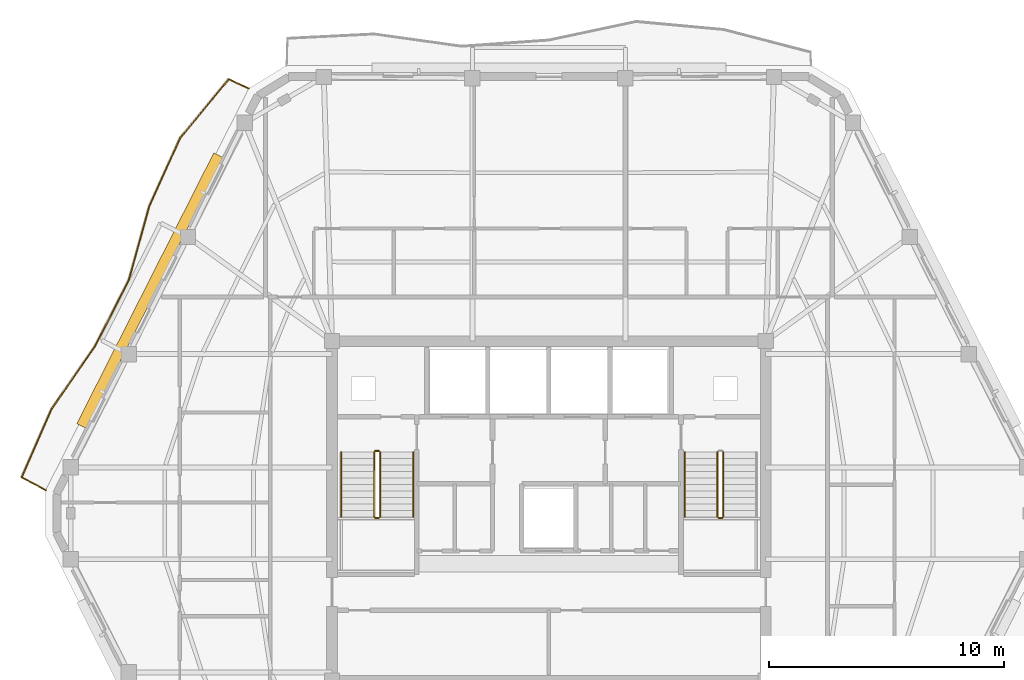
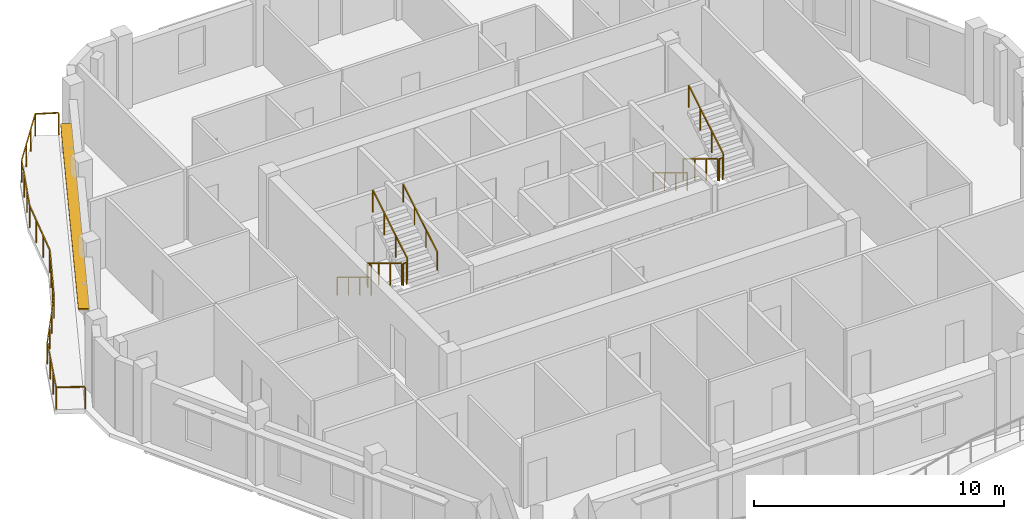
# One storey, part 10 of 12: 11 railings, 1 shading device.
"""IFC4 building model written with IfcOpenShell, lengths in metres."""

from ifc_helpers import new_model, si_unit, direction, frame, origin, origin_2d, place, context, subcontext, project, spatial, rectangle, extrude, material, layer, layer_set, type_object, element, save


model = new_model("IFC4")

# Units and contexts
model_context = context("Model", 3, precision=1e-05, world=origin(), true_north=direction((0.0, 1.0)))
body_context = subcontext(model_context, "Body", "Model", "MODEL_VIEW")
ifc_project = project(units=[si_unit("LENGTHUNIT", "METRE"), si_unit("AREAUNIT", "SQUARE_METRE"), si_unit("VOLUMEUNIT", "CUBIC_METRE"), si_unit("PLANEANGLEUNIT", "RADIAN"), si_unit("MASSUNIT", "GRAM", prefix="KILO")], contexts=[model_context])

# Site, building, storey
site_placement = place(None, origin())
site = spatial("IfcSite", under=ifc_project, at=site_placement, CompositionType="ELEMENT")
building_placement = place(site_placement, origin())
building = spatial("IfcBuilding", under=site, at=building_placement, Name="Cinnabar Lancet Tower", CompositionType="ELEMENT")
storey_placement = place(building_placement, frame((0.0, 0.0, 270.800048828125)))
storey = spatial("IfcBuildingStorey", under=building, at=storey_placement, Name="L72", CompositionType="ELEMENT", Elevation=270.800048828125)

# Railing
ifc_material_1 = material(Name="Laminated safety glass and bronze stainless steel balustrade", Category="steel")
railing_type_1 = type_object("IfcRailingType", Name="ENV-RLG-BAL-1100", PredefinedType="BALUSTRADE", material=ifc_material_1)
railing_1_placement = place(storey_placement, frame((19.638916015625, 43.867919921875, 0.0)))
element("IfcRailing", 1, at=railing_1_placement, inside=storey, type_object=railing_type_1, Name="L72 Face 5 Wave Balcony Balustrade", PredefinedType="BALUSTRADE", context=body_context, shape_type="SweptSolid", body=[
    extrude(rectangle(XDim=0.048095703125, YDim=0.048095703125, at=origin_2d()), frame((0.0, 0.0, 1.076171875), z_axis=(-0.906614664228, 0.421959536694, 0.0), x_axis=(-0.421959536694, -0.906614664228, 0.0)), (0.0, 0.0, 1.0), 0.9384765625),
    extrude(rectangle(XDim=0.048095703125, YDim=0.048095703125, at=origin_2d()), frame((-0.850830078125, 0.39599609375, 1.076171875), z_axis=(-0.636844710147, -0.770992097987, 0.0), x_axis=(0.770992097987, -0.636844710147, 0.0)), (0.0, 0.0, 1.0), 3.26318359375),
    extrude(rectangle(XDim=0.048095703125, YDim=0.048095703125, at=origin_2d()), frame((-2.928955078125, -2.119873046875, 1.076171875), z_axis=(-0.411323816861, -0.911489285556, 0.0), x_axis=(0.911489285556, -0.411323816861, 0.0)), (0.0, 0.0, 1.0), 3.18505859375),
    extrude(rectangle(XDim=0.048095703125, YDim=0.048095703125, at=origin_2d()), frame((-4.239013671875, -5.02294921875, 1.076171875), z_axis=(-0.266611338249, -0.96380412653, 0.0), x_axis=(0.96380412653, -0.266611338249, 0.0)), (0.0, 0.0, 1.0), 3.244384765625),
    extrude(rectangle(XDim=0.048095703125, YDim=0.048095703125, at=origin_2d()), frame((-5.10400390625, -8.14990234375, 1.076171875), z_axis=(-0.454996086327, -0.890493437049, 0.0), x_axis=(0.890493437049, -0.454996086327, 0.0)), (0.0, 0.0, 1.0), 3.18017578125),
    extrude(rectangle(XDim=0.048095703125, YDim=0.048095703125, at=origin_2d()), frame((-6.551025390625, -10.98193359375, 1.076171875), z_axis=(-0.570371590761, -0.82138678371, 0.0), x_axis=(0.82138678371, -0.570371590761, 0.0)), (0.0, 0.0, 1.0), 3.211669921875),
    extrude(rectangle(XDim=0.048095703125, YDim=0.048095703125, at=origin_2d()), frame((-8.3828125, -13.619873046875, 1.076171875), z_axis=(-0.401863199064, -0.915699715648, 0.0), x_axis=(0.915699715648, -0.401863199064, 0.0)), (0.0, 0.0, 1.0), 3.187744140625),
    extrude(rectangle(XDim=0.048095703125, YDim=0.048095703125, at=origin_2d()), frame((-9.663818359375, -16.538818359375, 1.076171875), z_axis=(0.881611436342, -0.471975926623, 0.0), x_axis=(0.471975926623, 0.881611436342, 0.0)), (0.0, 0.0, 1.0), 1.1591796875),
    extrude(rectangle(XDim=0.0419921875, YDim=0.0419921875, at=origin_2d()), origin(), (0.0, 0.0, 1.0), 1.052001953125),
    extrude(rectangle(XDim=0.0419921875, YDim=0.0419921875, at=origin_2d()), frame((-0.850830078125, 0.39599609375, 0.0)), (0.0, 0.0, 1.0), 1.052001953125),
    extrude(rectangle(XDim=0.0419921875, YDim=0.0419921875, at=origin_2d()), frame((-1.54345703125, -0.442626953125, 0.0)), (0.0, 0.0, 1.0), 1.052001953125),
    extrude(rectangle(XDim=0.0419921875, YDim=0.0419921875, at=origin_2d()), frame((-2.236328125, -1.28125, 0.0)), (0.0, 0.0, 1.0), 1.052001953125),
    extrude(rectangle(XDim=0.0419921875, YDim=0.0419921875, at=origin_2d()), frame((-2.928955078125, -2.119873046875, 0.0)), (0.0, 0.0, 1.0), 1.052001953125),
    extrude(rectangle(XDim=0.0419921875, YDim=0.0419921875, at=origin_2d()), frame((-3.36572265625, -3.087646484375, 0.0)), (0.0, 0.0, 1.0), 1.052001953125),
    extrude(rectangle(XDim=0.0419921875, YDim=0.0419921875, at=origin_2d()), frame((-3.80224609375, -4.05517578125, 0.0)), (0.0, 0.0, 1.0), 1.052001953125),
    extrude(rectangle(XDim=0.0419921875, YDim=0.0419921875, at=origin_2d()), frame((-4.239013671875, -5.02294921875, 0.0)), (0.0, 0.0, 1.0), 1.052001953125),
    extrude(rectangle(XDim=0.0419921875, YDim=0.0419921875, at=origin_2d()), frame((-4.52734375, -6.065185546875, 0.0)), (0.0, 0.0, 1.0), 1.052001953125),
    extrude(rectangle(XDim=0.0419921875, YDim=0.0419921875, at=origin_2d()), frame((-4.815673828125, -7.107666015625, 0.0)), (0.0, 0.0, 1.0), 1.052001953125),
    extrude(rectangle(XDim=0.0419921875, YDim=0.0419921875, at=origin_2d()), frame((-5.10400390625, -8.14990234375, 0.0)), (0.0, 0.0, 1.0), 1.052001953125),
    extrude(rectangle(XDim=0.0419921875, YDim=0.0419921875, at=origin_2d()), frame((-5.58642578125, -9.093994140625, 0.0)), (0.0, 0.0, 1.0), 1.052001953125),
    extrude(rectangle(XDim=0.0419921875, YDim=0.0419921875, at=origin_2d()), frame((-6.068603515625, -10.037841796875, 0.0)), (0.0, 0.0, 1.0), 1.052001953125),
    extrude(rectangle(XDim=0.0419921875, YDim=0.0419921875, at=origin_2d()), frame((-6.551025390625, -10.98193359375, 0.0)), (0.0, 0.0, 1.0), 1.052001953125),
    extrude(rectangle(XDim=0.0419921875, YDim=0.0419921875, at=origin_2d()), frame((-7.16162109375, -11.861328125, 0.0)), (0.0, 0.0, 1.0), 1.052001953125),
    extrude(rectangle(XDim=0.0419921875, YDim=0.0419921875, at=origin_2d()), frame((-7.772216796875, -12.740478515625, 0.0)), (0.0, 0.0, 1.0), 1.052001953125),
    extrude(rectangle(XDim=0.0419921875, YDim=0.0419921875, at=origin_2d()), frame((-8.3828125, -13.619873046875, 0.0)), (0.0, 0.0, 1.0), 1.052001953125),
    extrude(rectangle(XDim=0.0419921875, YDim=0.0419921875, at=origin_2d()), frame((-8.809814453125, -14.5927734375, 0.0)), (0.0, 0.0, 1.0), 1.052001953125),
    extrude(rectangle(XDim=0.0419921875, YDim=0.0419921875, at=origin_2d()), frame((-9.23681640625, -15.56591796875, 0.0)), (0.0, 0.0, 1.0), 1.052001953125),
    extrude(rectangle(XDim=0.0419921875, YDim=0.0419921875, at=origin_2d()), frame((-9.663818359375, -16.538818359375, 0.0)), (0.0, 0.0, 1.0), 1.052001953125),
    extrude(rectangle(XDim=0.0419921875, YDim=0.0419921875, at=origin_2d()), frame((-8.641845703125, -17.0859375, 0.0)), (0.0, 0.0, 1.0), 1.052001953125),
])

# Shading device
ifc_material_2 = material(Name="Pale limestone architectural aluminium sunshade", Category="masonry")
ifc_layer = layer(ifc_material_2, 0.080078125)
ifc_layer_set = layer_set([ifc_layer], Name="Pale limestone architectural aluminium sunshade")
shading_device_type = type_object("IfcShadingDeviceType", Name="ENV-SHD-LVR-450", PredefinedType="JALOUSIE", material=ifc_layer_set)
shading_device_placement = place(storey_placement, frame((15.43603515625, 35.27001953125, 2.639892578125), z_axis=(0.0, 0.0, 1.0), x_axis=(-0.451375984307, -0.89233386173, 0.0)))
element("IfcShadingDevice", 2, at=shading_device_placement, inside=storey, type_object=shading_device_type, Name="L72 Face 5 Horizontal Sunshade Canopy", PredefinedType="JALOUSIE", context=body_context, shape_type="SweptSolid", body=[
    extrude(rectangle(XDim=12.912109375, YDim=0.449951171875, at=origin_2d()), origin(), (0.0, 0.0, 1.0), 0.080078125),
])

# Railings
ifc_material_3 = material(Name="Painted galvanized steel balustrade", Category="steel")
railing_type_2 = type_object("IfcRailingType", Name="GUARD-STAIR", PredefinedType="GUARDRAIL", material=ifc_material_3)
railing_2_placement = place(storey_placement, frame((24.97509765625, 28.39990234375, 0.165771484375)))
element("IfcRailing", 3, at=railing_2_placement, inside=storey, type_object=railing_type_2, Name="L72 ST-1 stair guard 1", PredefinedType="GUARDRAIL", context=body_context, shape_type="SweptSolid", body=[
    extrude(rectangle(XDim=0.048095703125, YDim=0.048095703125, at=origin_2d()), frame((0.0, 0.0, 1.076171875), z_axis=(0.0, -0.856229400918, 0.51659579267), x_axis=(1.0, 0.0, 0.0)), (0.0, 0.0, 1.0), 3.211669921875),
    extrude(rectangle(XDim=0.0419921875, YDim=0.0419921875, at=origin_2d()), origin(), (0.0, 0.0, 1.0), 1.052001953125),
    extrude(rectangle(XDim=0.0419921875, YDim=0.0419921875, at=origin_2d()), frame((0.0, -0.916748046875, 0.552978515625)), (0.0, 0.0, 1.0), 1.052001953125),
    extrude(rectangle(XDim=0.0419921875, YDim=0.0419921875, at=origin_2d()), frame((0.0, -1.833251953125, 1.106201171875)), (0.0, 0.0, 1.0), 1.052001953125),
    extrude(rectangle(XDim=0.0419921875, YDim=0.0419921875, at=origin_2d()), frame((0.0, -2.75, 1.6591796875)), (0.0, 0.0, 1.0), 1.052001953125),
])
railing_3_placement = place(storey_placement, frame((25.02490234375, 25.60009765625, 1.824951171875)))
element("IfcRailing", 4, at=railing_3_placement, inside=storey, type_object=railing_type_2, Name="L72 ST-1 stair guard 2", PredefinedType="GUARDRAIL", context=body_context, shape_type="SweptSolid", body=[
    extrude(rectangle(XDim=0.048095703125, YDim=0.048095703125, at=origin_2d()), frame((0.0, 0.0, 1.076171875), z_axis=(1.0, 0.0, 0.0), x_axis=(0.0, 1.0, 0.0)), (0.0, 0.0, 1.0), 0.150146484375),
    extrude(rectangle(XDim=0.0419921875, YDim=0.0419921875, at=origin_2d()), origin(), (0.0, 0.0, 1.0), 1.052001953125),
    extrude(rectangle(XDim=0.0419921875, YDim=0.0419921875, at=origin_2d()), frame((0.150146484375, 0.0, 0.0)), (0.0, 0.0, 1.0), 1.052001953125),
])
railing_4_placement = place(storey_placement, frame((25.22509765625, 25.64990234375, 1.990966796875)))
element("IfcRailing", 5, at=railing_4_placement, inside=storey, type_object=railing_type_2, Name="L72 ST-1 stair guard 3", PredefinedType="GUARDRAIL", context=body_context, shape_type="SweptSolid", body=[
    extrude(rectangle(XDim=0.048095703125, YDim=0.048095703125, at=origin_2d()), frame((0.0, 0.0, 1.076171875), z_axis=(0.0, 0.856263023582, 0.516540060834), x_axis=(-1.0, 0.0, 0.0)), (0.0, 0.0, 1.0), 3.211669921875),
    extrude(rectangle(XDim=0.0419921875, YDim=0.0419921875, at=origin_2d()), origin(), (0.0, 0.0, 1.0), 1.052001953125),
    extrude(rectangle(XDim=0.0419921875, YDim=0.0419921875, at=origin_2d()), frame((0.0, 0.916748046875, 0.552978515625)), (0.0, 0.0, 1.0), 1.052001953125),
    extrude(rectangle(XDim=0.0419921875, YDim=0.0419921875, at=origin_2d()), frame((0.0, 1.833251953125, 1.10595703125)), (0.0, 0.0, 1.0), 1.052001953125),
    extrude(rectangle(XDim=0.0419921875, YDim=0.0419921875, at=origin_2d()), frame((0.0, 2.75, 1.658935546875)), (0.0, 0.0, 1.0), 1.052001953125),
])
railing_5_placement = place(storey_placement, frame((25.02490234375, 28.449951171875, 0.0)))
element("IfcRailing", 6, at=railing_5_placement, inside=storey, type_object=railing_type_2, Name="L72 ST-1 stair guard 4", PredefinedType="GUARDRAIL", context=body_context, shape_type="SweptSolid", body=[
    extrude(rectangle(XDim=0.048095703125, YDim=0.048095703125, at=origin_2d()), frame((0.0, 0.0, 1.076171875), z_axis=(1.0, 0.0, 0.0), x_axis=(0.0, 1.0, 0.0)), (0.0, 0.0, 1.0), 0.150146484375),
    extrude(rectangle(XDim=0.0419921875, YDim=0.0419921875, at=origin_2d()), origin(), (0.0, 0.0, 1.0), 1.052001953125),
    extrude(rectangle(XDim=0.0419921875, YDim=0.0419921875, at=origin_2d()), frame((0.150146484375, 0.0, 0.0)), (0.0, 0.0, 1.0), 1.052001953125),
])
railing_6_placement = place(storey_placement, frame((39.574951171875, 28.39990234375, 0.165771484375)))
element("IfcRailing", 7, at=railing_6_placement, inside=storey, type_object=railing_type_2, Name="L72 ST-2 stair guard 1", PredefinedType="GUARDRAIL", context=body_context, shape_type="SweptSolid", body=[
    extrude(rectangle(XDim=0.048095703125, YDim=0.048095703125, at=origin_2d()), frame((0.0, 0.0, 1.076171875), z_axis=(0.0, -0.856229400918, 0.51659579267), x_axis=(1.0, 0.0, 0.0)), (0.0, 0.0, 1.0), 3.211669921875),
    extrude(rectangle(XDim=0.0419921875, YDim=0.0419921875, at=origin_2d()), origin(), (0.0, 0.0, 1.0), 1.052001953125),
    extrude(rectangle(XDim=0.0419921875, YDim=0.0419921875, at=origin_2d()), frame((0.0, -0.916748046875, 0.552978515625)), (0.0, 0.0, 1.0), 1.052001953125),
    extrude(rectangle(XDim=0.0419921875, YDim=0.0419921875, at=origin_2d()), frame((0.0, -1.833251953125, 1.106201171875)), (0.0, 0.0, 1.0), 1.052001953125),
    extrude(rectangle(XDim=0.0419921875, YDim=0.0419921875, at=origin_2d()), frame((0.0, -2.75, 1.6591796875)), (0.0, 0.0, 1.0), 1.052001953125),
])
railing_7_placement = place(storey_placement, frame((39.625, 25.60009765625, 1.824951171875)))
element("IfcRailing", 8, at=railing_7_placement, inside=storey, type_object=railing_type_2, Name="L72 ST-2 stair guard 2", PredefinedType="GUARDRAIL", context=body_context, shape_type="SweptSolid", body=[
    extrude(rectangle(XDim=0.048095703125, YDim=0.048095703125, at=origin_2d()), frame((0.0, 0.0, 1.076171875), z_axis=(1.0, 0.0, 0.0), x_axis=(0.0, 1.0, 0.0)), (0.0, 0.0, 1.0), 0.14990234375),
    extrude(rectangle(XDim=0.0419921875, YDim=0.0419921875, at=origin_2d()), origin(), (0.0, 0.0, 1.0), 1.052001953125),
    extrude(rectangle(XDim=0.0419921875, YDim=0.0419921875, at=origin_2d()), frame((0.14990234375, 0.0, 0.0)), (0.0, 0.0, 1.0), 1.052001953125),
])
railing_8_placement = place(storey_placement, frame((39.824951171875, 25.64990234375, 1.990966796875)))
element("IfcRailing", 9, at=railing_8_placement, inside=storey, type_object=railing_type_2, Name="L72 ST-2 stair guard 3", PredefinedType="GUARDRAIL", context=body_context, shape_type="SweptSolid", body=[
    extrude(rectangle(XDim=0.048095703125, YDim=0.048095703125, at=origin_2d()), frame((0.0, 0.0, 1.076171875), z_axis=(0.0, 0.856263023582, 0.516540060834), x_axis=(-1.0, 0.0, 0.0)), (0.0, 0.0, 1.0), 3.211669921875),
    extrude(rectangle(XDim=0.0419921875, YDim=0.0419921875, at=origin_2d()), origin(), (0.0, 0.0, 1.0), 1.052001953125),
    extrude(rectangle(XDim=0.0419921875, YDim=0.0419921875, at=origin_2d()), frame((0.0, 0.916748046875, 0.552978515625)), (0.0, 0.0, 1.0), 1.052001953125),
    extrude(rectangle(XDim=0.0419921875, YDim=0.0419921875, at=origin_2d()), frame((0.0, 1.833251953125, 1.10595703125)), (0.0, 0.0, 1.0), 1.052001953125),
    extrude(rectangle(XDim=0.0419921875, YDim=0.0419921875, at=origin_2d()), frame((0.0, 2.75, 1.658935546875)), (0.0, 0.0, 1.0), 1.052001953125),
])
ifc_material_4 = material(Name="Brushed stainless steel handrail", Category="steel")
railing_type_3 = type_object("IfcRailingType", Name="HANDRAIL-STAIR", PredefinedType="HANDRAIL", material=ifc_material_4)
railing_9_placement = place(storey_placement, frame((23.574951171875, 28.39990234375, 0.165771484375)))
element("IfcRailing", 10, at=railing_9_placement, inside=storey, type_object=railing_type_3, Name="L72 ST-1 stair handrail 1", PredefinedType="HANDRAIL", context=body_context, shape_type="SweptSolid", body=[
    extrude(rectangle(XDim=0.048095703125, YDim=0.048095703125, at=origin_2d()), frame((0.0, 0.0, 0.8759765625), z_axis=(0.0, -0.856229400918, 0.51659579267), x_axis=(1.0, 0.0, 0.0)), (0.0, 0.0, 1.0), 3.211669921875),
    extrude(rectangle(XDim=0.0419921875, YDim=0.0419921875, at=origin_2d()), origin(), (0.0, 0.0, 1.0), 0.851806640625),
    extrude(rectangle(XDim=0.0419921875, YDim=0.0419921875, at=origin_2d()), frame((0.0, -0.916748046875, 0.552978515625)), (0.0, 0.0, 1.0), 0.851806640625),
    extrude(rectangle(XDim=0.0419921875, YDim=0.0419921875, at=origin_2d()), frame((0.0, -1.833251953125, 1.106201171875)), (0.0, 0.0, 1.0), 0.851806640625),
    extrude(rectangle(XDim=0.0419921875, YDim=0.0419921875, at=origin_2d()), frame((0.0, -2.75, 1.6591796875)), (0.0, 0.0, 1.0), 0.851806640625),
])
railing_10_placement = place(storey_placement, frame((26.625, 25.64990234375, 1.990966796875)))
element("IfcRailing", 11, at=railing_10_placement, inside=storey, type_object=railing_type_3, Name="L72 ST-1 stair handrail 2", PredefinedType="HANDRAIL", context=body_context, shape_type="SweptSolid", body=[
    extrude(rectangle(XDim=0.048095703125, YDim=0.048095703125, at=origin_2d()), frame((0.0, 0.0, 0.8759765625), z_axis=(0.0, 0.856263023582, 0.516540060834), x_axis=(-1.0, 0.0, 0.0)), (0.0, 0.0, 1.0), 3.211669921875),
    extrude(rectangle(XDim=0.0419921875, YDim=0.0419921875, at=origin_2d()), origin(), (0.0, 0.0, 1.0), 0.851806640625),
    extrude(rectangle(XDim=0.0419921875, YDim=0.0419921875, at=origin_2d()), frame((0.0, 0.916748046875, 0.552978515625)), (0.0, 0.0, 1.0), 0.851806640625),
    extrude(rectangle(XDim=0.0419921875, YDim=0.0419921875, at=origin_2d()), frame((0.0, 1.833251953125, 1.10595703125)), (0.0, 0.0, 1.0), 0.851806640625),
    extrude(rectangle(XDim=0.0419921875, YDim=0.0419921875, at=origin_2d()), frame((0.0, 2.75, 1.658935546875)), (0.0, 0.0, 1.0), 0.851806640625),
])
railing_11_placement = place(storey_placement, frame((38.175048828125, 28.39990234375, 0.165771484375)))
element("IfcRailing", 12, at=railing_11_placement, inside=storey, type_object=railing_type_3, Name="L72 ST-2 stair handrail 1", PredefinedType="HANDRAIL", context=body_context, shape_type="SweptSolid", body=[
    extrude(rectangle(XDim=0.048095703125, YDim=0.048095703125, at=origin_2d()), frame((0.0, 0.0, 0.8759765625), z_axis=(0.0, -0.856229400918, 0.51659579267), x_axis=(1.0, 0.0, 0.0)), (0.0, 0.0, 1.0), 3.211669921875),
    extrude(rectangle(XDim=0.0419921875, YDim=0.0419921875, at=origin_2d()), origin(), (0.0, 0.0, 1.0), 0.851806640625),
    extrude(rectangle(XDim=0.0419921875, YDim=0.0419921875, at=origin_2d()), frame((0.0, -0.916748046875, 0.552978515625)), (0.0, 0.0, 1.0), 0.851806640625),
    extrude(rectangle(XDim=0.0419921875, YDim=0.0419921875, at=origin_2d()), frame((0.0, -1.833251953125, 1.106201171875)), (0.0, 0.0, 1.0), 0.851806640625),
    extrude(rectangle(XDim=0.0419921875, YDim=0.0419921875, at=origin_2d()), frame((0.0, -2.75, 1.6591796875)), (0.0, 0.0, 1.0), 0.851806640625),
])

save(model, "model.ifc")
